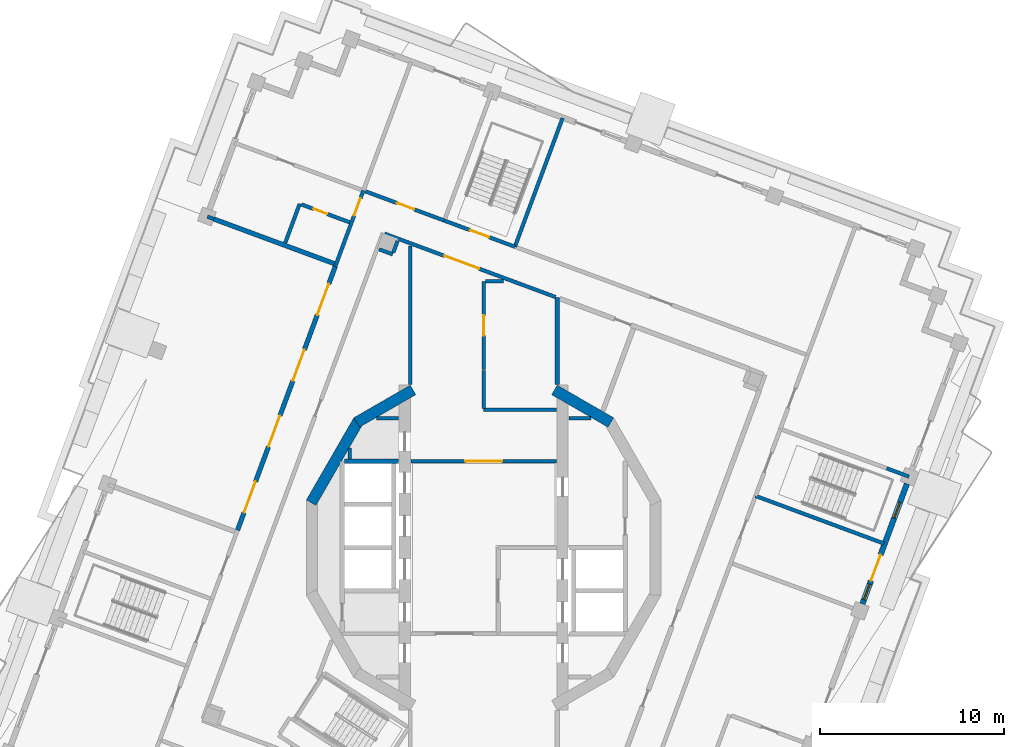
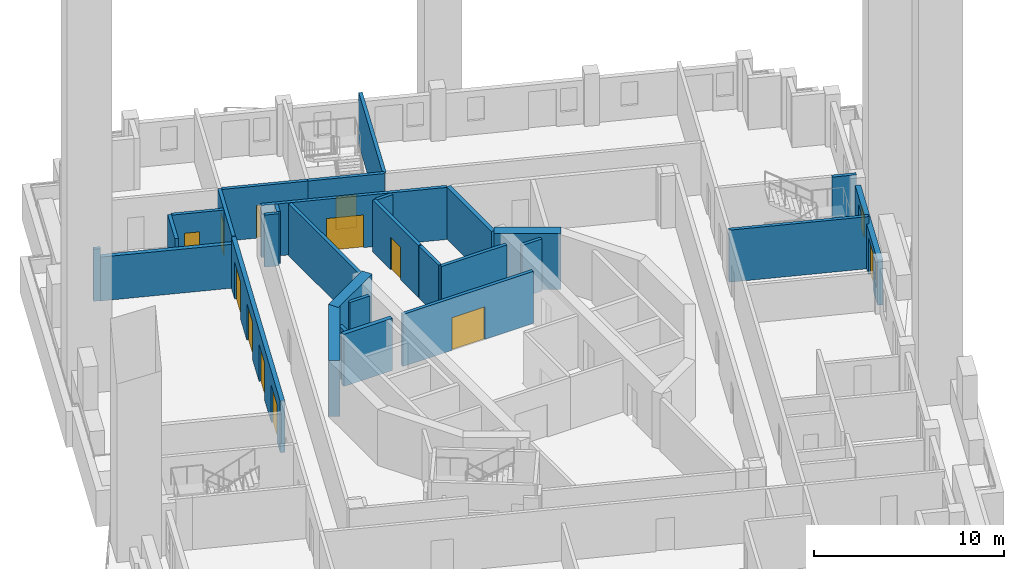
# One storey, part 6 of 20: 29 walls, 12 doors, 2 windows, 14 openings.
"""IFC4 building model written with IfcOpenShell, lengths in metres."""

from ifc_helpers import new_model, si_unit, direction, frame, frame_2d, origin, place, context, subcontext, project, spatial, rectangle, extrude, material, layer, layer_set, type_object, element, fill, save


model = new_model("IFC4")

# Units and contexts
model_context = context("Model", 3, precision=1e-05, world=origin(), true_north=direction((0.0, 1.0)))
body_context = subcontext(model_context, "Body", "Model", "MODEL_VIEW")
ifc_project = project(units=[si_unit("LENGTHUNIT", "METRE"), si_unit("AREAUNIT", "SQUARE_METRE"), si_unit("VOLUMEUNIT", "CUBIC_METRE"), si_unit("PLANEANGLEUNIT", "RADIAN"), si_unit("MASSUNIT", "GRAM", prefix="KILO")], contexts=[model_context])

# Site, building, storey
site_placement = place(None, origin())
site = spatial("IfcSite", under=ifc_project, at=site_placement, CompositionType="ELEMENT")
building_placement = place(site_placement, origin())
building = spatial("IfcBuilding", under=site, at=building_placement, Name="Cantera Rosa Tower", CompositionType="ELEMENT")
storey_placement = place(building_placement, frame((0.0, 0.0, 306.10009765625)))
storey = spatial("IfcBuildingStorey", under=building, at=storey_placement, Name="L67", CompositionType="ELEMENT", Elevation=306.10009765625)

# Wall, opening, door
ifc_material_1 = material(Name="Gypsum board partition")
ifc_layer_1 = layer(ifc_material_1, 0.199951171875)
ifc_layer_set_1 = layer_set([ifc_layer_1], Name="CORRIDOR WALL 200 H3350")
wall_type_1 = type_object("IfcWallType", Name="CORRIDOR WALL 200 H3350", PredefinedType="PARTITIONING", material=ifc_layer_set_1)
wall_1_placement = place(storey_placement, frame((-6.5537109375, 19.438720703125, 0.0), z_axis=(0.0, 0.0, 1.0), x_axis=(-0.347494854736, -0.937681889519, 0.0)))
wall_1 = element("IfcWall", 1, at=wall_1_placement, inside=storey, type_object=wall_type_1, Name="CORRIDOR WALL L67-028", PredefinedType="PARTITIONING", context=body_context, shape_type="SweptSolid", body=[
    extrude(rectangle(XDim=4.405029296875, YDim=0.199951171875, at=frame_2d((2.20263671875, 0.0))), origin(), (0.0, 0.0, 1.0), 3.349853515625),
])
opening_1_placement = place(wall_1_placement, frame((0.43994140625, 0.0, 0.0)))
opening_1 = element("IfcOpeningElement", 2, at=opening_1_placement, cuts=wall_1, Name="Opening L67-023", PredefinedType="OPENING", context=body_context, shape_type="SweptSolid", body=[
    extrude(rectangle(XDim=1.0, YDim=2.10009765625, at=frame_2d((0.5, 1.050048828125))), frame((0.0, 0.10986328125, 0.0), z_axis=(0.0, -1.0, 0.0), x_axis=(1.0, 0.0, 0.0)), (0.0, 0.0, 1.0), 0.219970703125),
])
ifc_material_2 = material(Name="Timber door leaf", Category="wood")
door_type_1 = type_object("IfcDoorType", Name="ENTRANCE DOOR 1000x2100", OperationType="NOTDEFINED", PredefinedType="DOOR", material=ifc_material_2)
door_1_placement = place(opening_1_placement, origin())
door_1 = element("IfcDoor", 3, at=door_1_placement, inside=storey, type_object=door_type_1, Name="DOOR L67-023", OperationType="NOTDEFINED", OverallHeight=2.10009765625, OverallWidth=1.0, PredefinedType="DOOR", context=body_context, shape_type="SweptSolid", body=[
    extrude(rectangle(XDim=1.0, YDim=2.10009765625, at=frame_2d((0.5, 1.050048828125))), frame((0.0, 0.02490234375, 0.0), z_axis=(0.0, -1.0, 0.0), x_axis=(1.0, 0.0, 0.0)), (0.0, 0.0, 1.0), 0.050048828125),
])
fill(opening_1, door_1)

# Wall
wall_2_placement = place(storey_placement, frame((-4.0, 16.4326171875, 0.0), z_axis=(0.0, 0.0, 1.0), x_axis=(0.0, -1.0, 0.0)))
element("IfcWall", 4, at=wall_2_placement, inside=storey, type_object=wall_type_1, Name="CORRIDOR WALL L67-045", PredefinedType="PARTITIONING", context=body_context, shape_type="SweptSolid", body=[
    extrude(rectangle(XDim=7.5537109375, YDim=0.199951171875, at=frame_2d((3.77685546875, 0.0))), origin(), (0.0, 0.0, 1.0), 3.349853515625),
])

# Wall, opening, door
wall_3_placement = place(storey_placement, frame((-3.969970703125, 4.699951171875, 0.0), z_axis=(0.0, 0.0, 1.0), x_axis=(1.0, 0.0, 0.0)))
wall_3 = element("IfcWall", 5, at=wall_3_placement, inside=storey, type_object=wall_type_1, Name="CORRIDOR WALL L67-046", PredefinedType="PARTITIONING", context=body_context, shape_type="SweptSolid", body=[
    extrude(rectangle(XDim=7.93994140625, YDim=0.199951171875, at=frame_2d((3.969970703125, 0.0))), origin(), (0.0, 0.0, 1.0), 3.349853515625),
])
opening_2_placement = place(wall_3_placement, frame((2.969970703125, 0.0, 0.0)))
opening_2 = element("IfcOpeningElement", 6, at=opening_2_placement, cuts=wall_3, Name="Opening L67-010", PredefinedType="OPENING", context=body_context, shape_type="SweptSolid", body=[
    extrude(rectangle(XDim=2.0, YDim=2.10009765625, at=frame_2d((1.0, 1.050048828125))), frame((0.0, 0.10986328125, 0.0), z_axis=(0.0, -1.0, 0.0), x_axis=(1.0, 0.0, 0.0)), (0.0, 0.0, 1.0), 0.219970703125),
])
ifc_material_3 = material(Name="Steel S355J2 (EN 10025-2)", Category="steel")
door_type_2 = type_object("IfcDoorType", Name="LOBBY SCREEN DOOR 2000x2100", OperationType="NOTDEFINED", PredefinedType="DOOR", material=ifc_material_3)
door_2_placement = place(opening_2_placement, origin())
door_2 = element("IfcDoor", 7, at=door_2_placement, inside=storey, type_object=door_type_2, Name="DOOR L67-010", OperationType="NOTDEFINED", OverallHeight=2.10009765625, OverallWidth=2.0, PredefinedType="DOOR", context=body_context, shape_type="SweptSolid", body=[
    extrude(rectangle(XDim=2.0, YDim=2.10009765625, at=frame_2d((1.0, 1.050048828125))), frame((0.0, 0.02490234375, 0.0), z_axis=(0.0, -1.0, 0.0), x_axis=(1.0, 0.0, 0.0)), (0.0, 0.0, 1.0), 0.050048828125),
])
fill(opening_2, door_2)

wall_4_placement = place(storey_placement, frame((-2.146728515625, 17.805419921875, 0.0), z_axis=(0.0, 0.0, 1.0), x_axis=(-0.937682514707, 0.347493167721, 0.0)))
wall_4 = element("IfcWall", 8, at=wall_4_placement, inside=storey, type_object=wall_type_1, Name="CORRIDOR WALL L67-047", PredefinedType="PARTITIONING", context=body_context, shape_type="SweptSolid", body=[
    extrude(rectangle(XDim=4.580078125, YDim=0.199951171875, at=frame_2d((2.2900390625, 0.0))), origin(), (0.0, 0.0, 1.0), 3.349853515625),
])
opening_3_placement = place(wall_4_placement, frame((1.75, 0.0, 0.0)))
opening_3 = element("IfcOpeningElement", 9, at=opening_3_placement, cuts=wall_4, Name="Opening L67-021", PredefinedType="OPENING", context=body_context, shape_type="SweptSolid", body=[
    extrude(rectangle(XDim=1.0, YDim=2.10009765625, at=frame_2d((0.5, 1.050048828125))), frame((0.0, 0.10986328125, 0.0), z_axis=(0.0, -1.0, 0.0), x_axis=(1.0, 0.0, 0.0)), (0.0, 0.0, 1.0), 0.219970703125),
])
ifc_material_4 = material(Name="Timber door leaf", Category="wood")
door_type_3 = type_object("IfcDoorType", Name="ROOM DOOR 1000x2100", OperationType="NOTDEFINED", PredefinedType="DOOR", material=ifc_material_4)
door_3_placement = place(opening_3_placement, origin())
door_3 = element("IfcDoor", 10, at=door_3_placement, inside=storey, type_object=door_type_3, Name="DOOR L67-021", OperationType="NOTDEFINED", OverallHeight=2.10009765625, OverallWidth=1.0, PredefinedType="DOOR", context=body_context, shape_type="SweptSolid", body=[
    extrude(rectangle(XDim=1.0, YDim=2.10009765625, at=frame_2d((0.5, 1.050048828125))), frame((0.0, 0.02490234375, 0.0), z_axis=(0.0, -1.0, 0.0), x_axis=(1.0, 0.0, 0.0)), (0.0, 0.0, 1.0), 0.050048828125),
])
fill(opening_3, door_3)

# Walls
wall_5_placement = place(storey_placement, frame((0.0, 7.5, 0.0), z_axis=(0.0, 0.0, 1.0), x_axis=(1.0, 0.0, 0.0)))
element("IfcWall", 11, at=wall_5_placement, inside=storey, type_object=wall_type_1, Name="CORRIDOR WALL L67-049", PredefinedType="PARTITIONING", context=body_context, shape_type="SweptSolid", body=[
    extrude(rectangle(XDim=3.969970703125, YDim=0.199951171875, at=frame_2d((1.98486328125, 0.0))), origin(), (0.0, 0.0, 1.0), 3.349853515625),
])
wall_6_placement = place(storey_placement, frame((0.0, 9.62939453125, 0.0), z_axis=(0.0, 0.0, 1.0), x_axis=(0.0, -1.0, 0.0)))
element("IfcWall", 12, at=wall_6_placement, inside=storey, type_object=wall_type_1, Name="CORRIDOR WALL L67-050", PredefinedType="PARTITIONING", context=body_context, shape_type="SweptSolid", body=[
    extrude(rectangle(XDim=2.04931640625, YDim=0.199951171875, at=frame_2d((1.024658203125, 0.0))), origin(), (0.0, 0.0, 1.0), 3.349853515625),
])

# Wall, opening, door
wall_7_placement = place(storey_placement, frame((0.0, 14.5, 0.0), z_axis=(0.0, 0.0, 1.0), x_axis=(0.0, -1.0, 0.0)))
wall_7 = element("IfcWall", 13, at=wall_7_placement, inside=storey, type_object=wall_type_1, Name="CORRIDOR WALL L67-051", PredefinedType="PARTITIONING", context=body_context, shape_type="SweptSolid", body=[
    extrude(rectangle(XDim=4.810791015625, YDim=0.199951171875, at=frame_2d((2.4052734375, 0.0))), origin(), (0.0, 0.0, 1.0), 3.349853515625),
])
opening_4_placement = place(wall_7_placement, frame((1.85546875, 0.0, 0.0)))
opening_4 = element("IfcOpeningElement", 14, at=opening_4_placement, cuts=wall_7, Name="Opening L67-014", PredefinedType="OPENING", context=body_context, shape_type="SweptSolid", body=[
    extrude(rectangle(XDim=1.10009765625, YDim=2.10009765625, at=frame_2d((0.550048828125, 1.050048828125))), frame((0.0, 0.10986328125, 0.0), z_axis=(0.0, -1.0, 0.0), x_axis=(1.0, 0.0, 0.0)), (0.0, 0.0, 1.0), 0.219970703125),
])
ifc_material_5 = material(Name="Timber door leaf", Category="wood")
door_type_4 = type_object("IfcDoorType", Name="ROOM DOOR 1100x2100", OperationType="NOTDEFINED", PredefinedType="DOOR", material=ifc_material_5)
door_4_placement = place(opening_4_placement, origin())
door_4 = element("IfcDoor", 15, at=door_4_placement, inside=storey, type_object=door_type_4, Name="DOOR L67-014", OperationType="NOTDEFINED", OverallHeight=2.10009765625, OverallWidth=1.10009765625, PredefinedType="DOOR", context=body_context, shape_type="SweptSolid", body=[
    extrude(rectangle(XDim=1.10009765625, YDim=2.10009765625, at=frame_2d((0.550048828125, 1.050048828125))), frame((0.0, 0.02490234375, 0.0), z_axis=(0.0, -1.0, 0.0), x_axis=(1.0, 0.0, 0.0)), (0.0, 0.0, 1.0), 0.050048828125),
])
fill(opening_4, door_4)

# Wall
wall_8_placement = place(storey_placement, frame((1.072998046875, 14.5, 0.0), z_axis=(0.0, 0.0, 1.0), x_axis=(-1.0, 0.0, 0.0)))
element("IfcWall", 16, at=wall_8_placement, inside=storey, type_object=wall_type_1, Name="CORRIDOR WALL L67-057", PredefinedType="PARTITIONING", context=body_context, shape_type="SweptSolid", body=[
    extrude(rectangle(XDim=0.972900390625, YDim=0.199951171875, at=frame_2d((0.486328125, 0.0))), origin(), (0.0, 0.0, 1.0), 3.349853515625),
])

# Wall, opening, door
wall_9_placement = place(storey_placement, frame((3.90625, 13.642822265625, 0.0), z_axis=(0.0, 0.0, 1.0), x_axis=(-0.937688197535, 0.34747783268, 0.0)))
wall_9 = element("IfcWall", 17, at=wall_9_placement, inside=storey, type_object=wall_type_1, Name="CORRIDOR WALL L67-066", PredefinedType="PARTITIONING", context=body_context, shape_type="SweptSolid", body=[
    extrude(rectangle(XDim=9.922119140625, YDim=0.199951171875, at=frame_2d((4.9609375, 0.0))), origin(), (0.0, 0.0, 1.0), 3.349853515625),
])
opening_5_placement = place(wall_9_placement, frame((4.44921875, 0.0, 0.0)))
opening_5 = element("IfcOpeningElement", 18, at=opening_5_placement, cuts=wall_9, Name="Opening L67-009", PredefinedType="OPENING", context=body_context, shape_type="SweptSolid", body=[
    extrude(rectangle(XDim=2.0, YDim=2.10009765625, at=frame_2d((1.0, 1.050048828125))), frame((0.0, 0.10986328125, 0.0), z_axis=(0.0, -1.0, 0.0), x_axis=(1.0, 0.0, 0.0)), (0.0, 0.0, 1.0), 0.219970703125),
])
door_5_placement = place(opening_5_placement, origin())
door_5 = element("IfcDoor", 19, at=door_5_placement, inside=storey, type_object=door_type_2, Name="DOOR L67-009", OperationType="NOTDEFINED", OverallHeight=2.10009765625, OverallWidth=2.0, PredefinedType="DOOR", context=body_context, shape_type="SweptSolid", body=[
    extrude(rectangle(XDim=2.0, YDim=2.10009765625, at=frame_2d((1.0, 1.050048828125))), frame((0.0, 0.02490234375, 0.0), z_axis=(0.0, -1.0, 0.0), x_axis=(1.0, 0.0, 0.0)), (0.0, 0.0, 1.0), 0.050048828125),
])
fill(opening_5, door_5)

# Wall, openings, windows, door
ifc_material_6 = material(Name="Hollow clay masonry with cantera stone cladding", Category="masonry")
ifc_layer_2 = layer(ifc_material_6, 0.300048828125)
ifc_layer_set_2 = layer_set([ifc_layer_2], Name="EW-LOGGIA 300 H2890")
wall_type_2 = type_object("IfcWallType", Name="EW-LOGGIA 300 H2890", PredefinedType="SOLIDWALL", material=ifc_layer_set_2)
wall_10_placement = place(storey_placement, frame((20.61962890625, -3.06591796875, 0.0), z_axis=(0.0, 0.0, 1.0), x_axis=(0.347471562124, 0.937690521182, 0.0)))
wall_10 = element("IfcWall", 20, at=wall_10_placement, inside=storey, type_object=wall_type_2, Name="EN-L67-W23", PredefinedType="SOLIDWALL", context=body_context, shape_type="SweptSolid", body=[
    extrude(rectangle(XDim=6.979736328125, YDim=0.300048828125, at=frame_2d((3.48974609375, 0.0))), origin(), (0.0, 0.0, 1.0), 2.889892578125),
])
opening_6_placement = place(wall_10_placement, frame((0.2451171875, 0.0, 0.89990234375)))
opening_6 = element("IfcOpeningElement", 21, at=opening_6_placement, cuts=wall_10, Name="Opening L67-W43", PredefinedType="OPENING", context=body_context, shape_type="SweptSolid", body=[
    extrude(rectangle(XDim=0.89990234375, YDim=1.5, at=frame_2d((0.449951171875, 0.75))), frame((0.0, 0.159912109375, 0.0), z_axis=(0.0, -1.0, 0.0), x_axis=(1.0, 0.0, 0.0)), (0.0, 0.0, 1.0), 0.320068359375),
])
opening_7_placement = place(wall_10_placement, frame((1.344970703125, 0.0, 0.0)))
opening_7 = element("IfcOpeningElement", 22, at=opening_7_placement, cuts=wall_10, Name="Opening L67-TD44", PredefinedType="OPENING", context=body_context, shape_type="SweptSolid", body=[
    extrude(rectangle(XDim=1.5, YDim=2.39990234375, at=frame_2d((0.75, 1.199951171875))), frame((0.0, 0.159912109375, 0.0), z_axis=(0.0, -1.0, 0.0), x_axis=(1.0, 0.0, 0.0)), (0.0, 0.0, 1.0), 0.320068359375),
])
opening_8_placement = place(wall_10_placement, frame((4.985107421875, 0.0, 0.89990234375)))
opening_8 = element("IfcOpeningElement", 23, at=opening_8_placement, cuts=wall_10, Name="Opening L67-W45", PredefinedType="OPENING", context=body_context, shape_type="SweptSolid", body=[
    extrude(rectangle(XDim=0.89990234375, YDim=1.5, at=frame_2d((0.449951171875, 0.75))), frame((0.0, 0.159912109375, 0.0), z_axis=(0.0, -1.0, 0.0), x_axis=(1.0, 0.0, 0.0)), (0.0, 0.0, 1.0), 0.320068359375),
])
ifc_material_7 = material(Name="Aluminium frame with clear glass", Category="aluminium")
window_type = type_object("IfcWindowType", Name="Residential window 900x1500", PartitioningType="SINGLE_PANEL", PredefinedType="WINDOW", material=ifc_material_7)
window_1_placement = place(opening_6_placement, origin())
window_1 = element("IfcWindow", 24, at=window_1_placement, inside=storey, type_object=window_type, Name="WINDOW L67-W43", OverallHeight=1.5, OverallWidth=0.89990234375, PartitioningType="SINGLE_PANEL", PredefinedType="WINDOW", context=body_context, shape_type="SweptSolid", body=[
    extrude(rectangle(XDim=0.89990234375, YDim=1.5, at=frame_2d((0.449951171875, 0.75))), frame((0.0, 0.030029296875, 0.0), z_axis=(0.0, -1.0, 0.0), x_axis=(1.0, 0.0, 0.0)), (0.0, 0.0, 1.0), 0.06005859375),
])
fill(opening_6, window_1)
window_2_placement = place(opening_8_placement, origin())
window_2 = element("IfcWindow", 25, at=window_2_placement, inside=storey, type_object=window_type, Name="WINDOW L67-W45", OverallHeight=1.5, OverallWidth=0.89990234375, PartitioningType="SINGLE_PANEL", PredefinedType="WINDOW", context=body_context, shape_type="SweptSolid", body=[
    extrude(rectangle(XDim=0.89990234375, YDim=1.5, at=frame_2d((0.449951171875, 0.75))), frame((0.0, 0.030029296875, 0.0), z_axis=(0.0, -1.0, 0.0), x_axis=(1.0, 0.0, 0.0)), (0.0, 0.0, 1.0), 0.06005859375),
])
fill(opening_8, window_2)
ifc_material_8 = material(Name="Aluminium frame with clear glass", Category="aluminium")
door_type_5 = type_object("IfcDoorType", Name="TD-R 1500x2400", OperationType="NOTDEFINED", PredefinedType="DOOR", material=ifc_material_8)
door_6_placement = place(opening_7_placement, origin())
door_6 = element("IfcDoor", 26, at=door_6_placement, inside=storey, type_object=door_type_5, Name="LOGGIA DOOR L67-TD44", OperationType="SLIDING_TO_LEFT", OverallHeight=2.39990234375, OverallWidth=1.5, PredefinedType="DOOR", context=body_context, shape_type="SweptSolid", body=[
    extrude(rectangle(XDim=1.5, YDim=2.39990234375, at=frame_2d((0.75, 1.199951171875))), frame((0.0, 0.02490234375, 0.0), z_axis=(0.0, -1.0, 0.0), x_axis=(1.0, 0.0, 0.0)), (0.0, 0.0, 1.0), 0.050048828125),
])
fill(opening_7, door_6)

# Wall
ifc_material_9 = material(Name="Concrete C40/50", Category="concrete")
ifc_layer_3 = layer(ifc_material_9, 0.25)
ifc_layer_set_3 = layer_set([ifc_layer_3], Name="EW-POCKET CHEEK 250 H2820")
wall_type_3 = type_object("IfcWallType", Name="EW-POCKET CHEEK 250 H2820", PredefinedType="SOLIDWALL", material=ifc_layer_set_3)
wall_11_placement = place(storey_placement, frame((-14.69873046875, 17.892333984375, 0.0), z_axis=(0.0, 0.0, 1.0), x_axis=(0.937689427556, -0.34747451338, 0.0)))
element("IfcWall", 27, at=wall_11_placement, inside=storey, type_object=wall_type_3, Name="POCKET CHEEK A L67", PredefinedType="SOLIDWALL", context=body_context, shape_type="SweptSolid", body=[
    extrude(rectangle(XDim=7.000244140625, YDim=0.25, at=frame_2d((3.5, 0.0))), origin(), (0.0, 0.0, 1.0), 2.81982421875),
])

# Wall, openings, doors
ifc_material_10 = material(Name="Hollow clay masonry with cantera stone cladding", Category="masonry")
ifc_layer_4 = layer(ifc_material_10, 0.25)
ifc_layer_set_4 = layer_set([ifc_layer_4], Name="EW-POCKET REAR 250")
wall_type_4 = type_object("IfcWallType", Name="EW-POCKET REAR 250", PredefinedType="SOLIDWALL", material=ifc_layer_set_4)
wall_12_placement = place(storey_placement, frame((-8.08447265625, 15.30810546875, 0.0), z_axis=(0.0, 0.0, 1.0), x_axis=(-0.347489376152, -0.937683919805, 0.0)))
wall_12 = element("IfcWall", 28, at=wall_12_placement, inside=storey, type_object=wall_type_4, Name="POCKET REAR L67", PredefinedType="SOLIDWALL", context=body_context, shape_type="SweptSolid", body=[
    extrude(rectangle(XDim=15.31005859375, YDim=0.25, at=frame_2d((7.655029296875, 0.0))), origin(), (0.0, 0.0, 1.0), 3.2998046875),
])
opening_9_placement = place(wall_12_placement, frame((1.013671875, 0.0, 0.0)))
opening_9 = element("IfcOpeningElement", 29, at=opening_9_placement, cuts=wall_12, Name="Opening L67-LT01", PredefinedType="OPENING", context=body_context, shape_type="SweptSolid", body=[
    extrude(rectangle(XDim=1.800048828125, YDim=2.39990234375, at=frame_2d((0.89990234375, 1.199951171875))), frame((0.0, 0.135009765625, 0.0), z_axis=(0.0, -1.0, 0.0), x_axis=(1.0, 0.0, 0.0)), (0.0, 0.0, 1.0), 0.27001953125),
])
opening_10_placement = place(wall_12_placement, frame((4.84130859375, 0.0, 0.0)))
opening_10 = element("IfcOpeningElement", 30, at=opening_10_placement, cuts=wall_12, Name="Opening L67-LT02", PredefinedType="OPENING", context=body_context, shape_type="SweptSolid", body=[
    extrude(rectangle(XDim=1.800048828125, YDim=2.39990234375, at=frame_2d((0.89990234375, 1.199951171875))), frame((0.0, 0.135009765625, 0.0), z_axis=(0.0, -1.0, 0.0), x_axis=(1.0, 0.0, 0.0)), (0.0, 0.0, 1.0), 0.27001953125),
])
opening_11_placement = place(wall_12_placement, frame((8.668701171875, 0.0, 0.0)))
opening_11 = element("IfcOpeningElement", 31, at=opening_11_placement, cuts=wall_12, Name="Opening L67-LT03", PredefinedType="OPENING", context=body_context, shape_type="SweptSolid", body=[
    extrude(rectangle(XDim=1.800048828125, YDim=2.39990234375, at=frame_2d((0.89990234375, 1.199951171875))), frame((0.0, 0.135009765625, 0.0), z_axis=(0.0, -1.0, 0.0), x_axis=(1.0, 0.0, 0.0)), (0.0, 0.0, 1.0), 0.27001953125),
])
opening_12_placement = place(wall_12_placement, frame((12.496337890625, 0.0, 0.0)))
opening_12 = element("IfcOpeningElement", 32, at=opening_12_placement, cuts=wall_12, Name="Opening L67-LT04", PredefinedType="OPENING", context=body_context, shape_type="SweptSolid", body=[
    extrude(rectangle(XDim=1.800048828125, YDim=2.39990234375, at=frame_2d((0.89990234375, 1.199951171875))), frame((0.0, 0.135009765625, 0.0), z_axis=(0.0, -1.0, 0.0), x_axis=(1.0, 0.0, 0.0)), (0.0, 0.0, 1.0), 0.27001953125),
])
ifc_material_11 = material(Name="Aluminium frame with clear glass", Category="aluminium")
door_type_6 = type_object("IfcDoorType", Name="TD-T 1800x2400", OperationType="NOTDEFINED", PredefinedType="DOOR", material=ifc_material_11)
door_7_placement = place(opening_9_placement, origin())
door_7 = element("IfcDoor", 33, at=door_7_placement, inside=storey, type_object=door_type_6, Name="TERRACE DOOR L67-LT01", OperationType="DOUBLE_DOOR_SINGLE_SWING", OverallHeight=2.39990234375, OverallWidth=1.800048828125, PredefinedType="DOOR", context=body_context, shape_type="SweptSolid", body=[
    extrude(rectangle(XDim=1.800048828125, YDim=2.39990234375, at=frame_2d((0.89990234375, 1.199951171875))), frame((0.0, 0.02490234375, 0.0), z_axis=(0.0, -1.0, 0.0), x_axis=(1.0, 0.0, 0.0)), (0.0, 0.0, 1.0), 0.050048828125),
])
fill(opening_9, door_7)
door_8_placement = place(opening_10_placement, origin())
door_8 = element("IfcDoor", 34, at=door_8_placement, inside=storey, type_object=door_type_6, Name="TERRACE DOOR L67-LT02", OperationType="DOUBLE_DOOR_SINGLE_SWING", OverallHeight=2.39990234375, OverallWidth=1.800048828125, PredefinedType="DOOR", context=body_context, shape_type="SweptSolid", body=[
    extrude(rectangle(XDim=1.800048828125, YDim=2.39990234375, at=frame_2d((0.89990234375, 1.199951171875))), frame((0.0, 0.02490234375, 0.0), z_axis=(0.0, -1.0, 0.0), x_axis=(1.0, 0.0, 0.0)), (0.0, 0.0, 1.0), 0.050048828125),
])
fill(opening_10, door_8)
door_9_placement = place(opening_11_placement, origin())
door_9 = element("IfcDoor", 35, at=door_9_placement, inside=storey, type_object=door_type_6, Name="TERRACE DOOR L67-LT03", OperationType="DOUBLE_DOOR_SINGLE_SWING", OverallHeight=2.39990234375, OverallWidth=1.800048828125, PredefinedType="DOOR", context=body_context, shape_type="SweptSolid", body=[
    extrude(rectangle(XDim=1.800048828125, YDim=2.39990234375, at=frame_2d((0.89990234375, 1.199951171875))), frame((0.0, 0.02490234375, 0.0), z_axis=(0.0, -1.0, 0.0), x_axis=(1.0, 0.0, 0.0)), (0.0, 0.0, 1.0), 0.050048828125),
])
fill(opening_11, door_9)
door_10_placement = place(opening_12_placement, origin())
door_10 = element("IfcDoor", 36, at=door_10_placement, inside=storey, type_object=door_type_6, Name="TERRACE DOOR L67-LT04", OperationType="DOUBLE_DOOR_SINGLE_SWING", OverallHeight=2.39990234375, OverallWidth=1.800048828125, PredefinedType="DOOR", context=body_context, shape_type="SweptSolid", body=[
    extrude(rectangle(XDim=1.800048828125, YDim=2.39990234375, at=frame_2d((0.89990234375, 1.199951171875))), frame((0.0, 0.02490234375, 0.0), z_axis=(0.0, -1.0, 0.0), x_axis=(1.0, 0.0, 0.0)), (0.0, 0.0, 1.0), 0.050048828125),
])
fill(opening_12, door_10)

# Wall
ifc_material_12 = material(Name="Gypsum board partition")
ifc_layer_5 = layer(ifc_material_12, 0.199951171875)
ifc_layer_set_5 = layer_set([ifc_layer_5], Name="PARTITION 200 H3350")
wall_type_5 = type_object("IfcWallType", Name="PARTITION 200 H3350", PredefinedType="PARTITIONING", material=ifc_layer_set_5)
wall_13_placement = place(storey_placement, frame((-10.80712890625, 16.59423828125, 0.0), z_axis=(0.0, 0.0, 1.0), x_axis=(0.347388074377, 0.937721454261, 0.0)))
element("IfcWall", 37, at=wall_13_placement, inside=storey, type_object=wall_type_5, Name="PARTITION L67-013", PredefinedType="PARTITIONING", context=body_context, shape_type="SweptSolid", body=[
    extrude(rectangle(XDim=2.26513671875, YDim=0.199951171875, at=frame_2d((1.132568359375, 0.0))), origin(), (0.0, 0.0, 1.0), 3.349853515625),
])

# Wall, opening, door
wall_14_placement = place(storey_placement, frame((-9.926513671875, 18.68359375, 0.0), z_axis=(0.0, 0.0, 1.0), x_axis=(0.937673016978, -0.347518795507, 0.0)))
wall_14 = element("IfcWall", 38, at=wall_14_placement, inside=storey, type_object=wall_type_5, Name="PARTITION L67-017", PredefinedType="PARTITIONING", context=body_context, shape_type="SweptSolid", body=[
    extrude(rectangle(XDim=2.80029296875, YDim=0.199951171875, at=frame_2d((1.400146484375, 0.0))), origin(), (0.0, 0.0, 1.0), 3.349853515625),
])
opening_13_placement = place(wall_14_placement, frame((0.699951171875, 0.0, 0.0)))
opening_13 = element("IfcOpeningElement", 39, at=opening_13_placement, cuts=wall_14, Name="Opening L67-024", PredefinedType="OPENING", context=body_context, shape_type="SweptSolid", body=[
    extrude(rectangle(XDim=0.800048828125, YDim=2.10009765625, at=frame_2d((0.39990234375, 1.050048828125))), frame((0.0, 0.10986328125, 0.0), z_axis=(0.0, -1.0, 0.0), x_axis=(1.0, 0.0, 0.0)), (0.0, 0.0, 1.0), 0.219970703125),
])
ifc_material_13 = material(Name="Timber door leaf", Category="wood")
door_type_7 = type_object("IfcDoorType", Name="BATHROOM DOOR 800x2100", OperationType="NOTDEFINED", PredefinedType="DOOR", material=ifc_material_13)
door_11_placement = place(opening_13_placement, origin())
door_11 = element("IfcDoor", 40, at=door_11_placement, inside=storey, type_object=door_type_7, Name="DOOR L67-024", OperationType="NOTDEFINED", OverallHeight=2.10009765625, OverallWidth=0.800048828125, PredefinedType="DOOR", context=body_context, shape_type="SweptSolid", body=[
    extrude(rectangle(XDim=0.800048828125, YDim=2.10009765625, at=frame_2d((0.39990234375, 1.050048828125))), frame((0.0, 0.02490234375, 0.0), z_axis=(0.0, -1.0, 0.0), x_axis=(1.0, 0.0, 0.0)), (0.0, 0.0, 1.0), 0.050048828125),
])
fill(opening_13, door_11)

# Walls
wall_15_placement = place(storey_placement, frame((-7.300048828125, 4.824951171875, 0.0), z_axis=(0.0, 0.0, 1.0), x_axis=(0.0, 1.0, 0.0)))
element("IfcWall", 41, at=wall_15_placement, inside=storey, type_object=wall_type_5, Name="PARTITION L67-027", PredefinedType="PARTITIONING", context=body_context, shape_type="SweptSolid", body=[
    extrude(rectangle(XDim=0.589599609375, YDim=0.199951171875, at=frame_2d((0.294921875, 0.0))), origin(), (0.0, 0.0, 1.0), 3.349853515625),
])
wall_16_placement = place(storey_placement, frame((-5.84765625, 7.050048828125, 0.0), z_axis=(0.0, 0.0, 1.0), x_axis=(1.0, 0.0, 0.0)))
element("IfcWall", 42, at=wall_16_placement, inside=storey, type_object=wall_type_5, Name="PARTITION L67-033", PredefinedType="PARTITIONING", context=body_context, shape_type="SweptSolid", body=[
    extrude(rectangle(XDim=1.2177734375, YDim=0.199951171875, at=frame_2d((0.60888671875, 0.0))), origin(), (0.0, 0.0, 1.0), 3.349853515625),
])
wall_17_placement = place(storey_placement, frame((-5.691650390625, 16.23974609375, 0.0), z_axis=(0.0, 0.0, 1.0), x_axis=(0.93771100034, -0.347416291848, 0.0)))
element("IfcWall", 43, at=wall_17_placement, inside=storey, type_object=wall_type_5, Name="PARTITION L67-034", PredefinedType="PARTITIONING", context=body_context, shape_type="SweptSolid", body=[
    extrude(rectangle(XDim=0.780029296875, YDim=0.199951171875, at=frame_2d((0.39013671875, 0.0))), origin(), (0.0, 0.0, 1.0), 3.349853515625),
])
wall_18_placement = place(storey_placement, frame((-4.925537109375, 16.0625, 0.0), z_axis=(0.0, 0.0, 1.0), x_axis=(0.347501421626, 0.937679455874, 0.0)))
element("IfcWall", 44, at=wall_18_placement, inside=storey, type_object=wall_type_5, Name="PARTITION L67-039", PredefinedType="PARTITIONING", context=body_context, shape_type="SweptSolid", body=[
    extrude(rectangle(XDim=0.68017578125, YDim=0.199951171875, at=frame_2d((0.340087890625, 0.0))), origin(), (0.0, 0.0, 1.0), 3.349853515625),
])
wall_19_placement = place(storey_placement, frame((4.6298828125, 7.050048828125, 0.0), z_axis=(0.0, 0.0, 1.0), x_axis=(1.0, 0.0, 0.0)))
element("IfcWall", 45, at=wall_19_placement, inside=storey, type_object=wall_type_5, Name="PARTITION L67-068", PredefinedType="PARTITIONING", context=body_context, shape_type="SweptSolid", body=[
    extrude(rectangle(XDim=1.2177734375, YDim=0.199951171875, at=frame_2d((0.60888671875, 0.0))), origin(), (0.0, 0.0, 1.0), 3.349853515625),
])
ifc_material_14 = material(Name="Gypsum board partition")
ifc_layer_6 = layer(ifc_material_14, 0.199951171875)
ifc_layer_set_6 = layer_set([ifc_layer_6], Name="PARTY WALL 200 H3350")
wall_type_6 = type_object("IfcWallType", Name="PARTY WALL 200 H3350", PredefinedType="PARTITIONING", material=ifc_layer_set_6)
wall_20_placement = place(storey_placement, frame((-14.698486328125, 17.892333984375, 0.0), z_axis=(0.0, 0.0, 1.0), x_axis=(-0.937677152558, 0.347507636708, 0.0)))
element("IfcWall", 46, at=wall_20_placement, inside=storey, type_object=wall_type_6, Name="PARTY WALL L67-021", PredefinedType="PARTITIONING", context=body_context, shape_type="SweptSolid", body=[
    extrude(rectangle(XDim=0.370361328125, YDim=0.199951171875, at=frame_2d((0.18505859375, 0.0))), origin(), (0.0, 0.0, 1.0), 3.349853515625),
])
ifc_material_15 = material(Name="Concrete C50/60", Category="concrete")
ifc_layer_7 = layer(ifc_material_15, 0.60009765625)
ifc_layer_set_7 = layer_set([ifc_layer_7], Name="RC CORE WALL 600 C50/60")
wall_type_7 = type_object("IfcWallType", Name="RC CORE WALL 600 C50/60", PredefinedType="SHEAR", material=ifc_layer_set_7)
wall_21_placement = place(storey_placement, frame((-9.3994140625, 2.438232421875, 0.0), z_axis=(0.0, 0.0, 1.0), x_axis=(0.499989188378, 0.866031645787, 0.0)))
element("IfcWall", 47, at=wall_21_placement, inside=storey, type_object=wall_type_7, Name="CW-W4 L67", PredefinedType="SHEAR", context=body_context, shape_type="SweptSolid", body=[
    extrude(rectangle(XDim=5.17626953125, YDim=0.60009765625, at=frame_2d((2.588134765625, 0.0))), origin(), (0.0, 0.0, 1.0), 3.599853515625),
])
for number, where, z_axis, x_axis, name in (
    (48, (-6.921142578125, 6.811279296875, 0.0), (0.0, 0.0, 1.0), (0.866039982607, 0.499974747889, 0.0), "CW-W5 L67"),
    (49, (3.85009765625, 8.584228515625, 0.0), (0.0, 0.0, 1.0), (0.866039982607, -0.499974747889, 0.0), "CW-E1 L67"),
):
    element("IfcWall", number, at=place(storey_placement, frame(where, z_axis=z_axis, x_axis=x_axis)), inside=storey, type_object=wall_type_7, Name=name, PredefinedType="SHEAR", context=body_context, shape_type="SweptSolid", body=[
        extrude(rectangle(XDim=3.546142578125, YDim=0.60009765625, at=frame_2d((1.77294921875, 0.0))), origin(), (0.0, 0.0, 1.0), 3.599853515625),
    ])
ifc_material_16 = material(Name="Masonry blockwork", Category="masonry")
ifc_layer_8 = layer(ifc_material_16, 0.25)
ifc_layer_set_8 = layer_set([ifc_layer_8], Name="SHAFT WALL 250 H3350")
wall_type_8 = type_object("IfcWallType", Name="SHAFT WALL 250 H3350", PredefinedType="SOLIDWALL", material=ifc_layer_set_8)
wall_22_placement = place(storey_placement, frame((-7.580078125, 4.699951171875, 0.0), z_axis=(0.0, 0.0, 1.0), x_axis=(1.0, 0.0, 0.0)))
element("IfcWall", 50, at=wall_22_placement, inside=storey, type_object=wall_type_8, Name="SHAFT WALL L67-026", PredefinedType="SOLIDWALL", context=body_context, shape_type="SweptSolid", body=[
    extrude(rectangle(XDim=2.9501953125, YDim=0.25, at=frame_2d((1.47509765625, 0.0))), origin(), (0.0, 0.0, 1.0), 3.349853515625),
])
wall_23_placement = place(storey_placement, frame((4.0, 8.87890625, 0.0), z_axis=(0.0, 0.0, 1.0), x_axis=(0.0, 1.0, 0.0)))
element("IfcWall", 51, at=wall_23_placement, inside=storey, type_object=wall_type_8, Name="SHAFT WALL L67-065", PredefinedType="SOLIDWALL", context=body_context, shape_type="SweptSolid", body=[
    extrude(rectangle(XDim=4.72900390625, YDim=0.25, at=frame_2d((2.364501953125, 0.0))), origin(), (0.0, 0.0, 1.0), 3.349853515625),
])

# Wall, opening, door
ifc_material_17 = material(Name="Concrete C50/60", Category="concrete")
ifc_layer_9 = layer(ifc_material_17, 0.199951171875)
ifc_layer_set_9 = layer_set([ifc_layer_9], Name="STAIR WALL 200 H3350")
wall_type_9 = type_object("IfcWallType", Name="STAIR WALL 200 H3350", PredefinedType="SOLIDWALL", material=ifc_layer_set_9)
wall_24_placement = place(storey_placement, frame((-2.146728515625, 17.805419921875, 0.0), z_axis=(0.0, 0.0, 1.0), x_axis=(0.937694876531, -0.347459808507, 0.0)))
wall_24 = element("IfcWall", 52, at=wall_24_placement, inside=storey, type_object=wall_type_9, Name="STAIR WALL L67-048", PredefinedType="SOLIDWALL", context=body_context, shape_type="SweptSolid", body=[
    extrude(rectangle(XDim=4.099853515625, YDim=0.199951171875, at=frame_2d((2.0498046875, 0.0))), origin(), (0.0, 0.0, 1.0), 3.349853515625),
])
opening_14_placement = place(wall_24_placement, frame((1.5, 0.0, 0.0)))
opening_14 = element("IfcOpeningElement", 53, at=opening_14_placement, cuts=wall_24, Name="Opening L67-002", PredefinedType="OPENING", context=body_context, shape_type="SweptSolid", body=[
    extrude(rectangle(XDim=1.10009765625, YDim=2.10009765625, at=frame_2d((0.550048828125, 1.050048828125))), frame((0.0, 0.10986328125, 0.0), z_axis=(0.0, -1.0, 0.0), x_axis=(1.0, 0.0, 0.0)), (0.0, 0.0, 1.0), 0.219970703125),
])
ifc_material_18 = material(Name="Steel S355J2 (EN 10025-2)", Category="steel")
door_type_8 = type_object("IfcDoorType", Name="STAIR DOOR 1100x2100", OperationType="NOTDEFINED", PredefinedType="DOOR", material=ifc_material_18)
door_12_placement = place(opening_14_placement, origin())
door_12 = element("IfcDoor", 54, at=door_12_placement, inside=storey, type_object=door_type_8, Name="DOOR L67-002", OperationType="NOTDEFINED", OverallHeight=2.10009765625, OverallWidth=1.10009765625, PredefinedType="DOOR", context=body_context, shape_type="SweptSolid", body=[
    extrude(rectangle(XDim=1.10009765625, YDim=2.10009765625, at=frame_2d((0.550048828125, 1.050048828125))), frame((0.0, 0.02490234375, 0.0), z_axis=(0.0, -1.0, 0.0), x_axis=(1.0, 0.0, 0.0)), (0.0, 0.0, 1.0), 0.050048828125),
])
fill(opening_14, door_12)

# Walls
wall_25_placement = place(storey_placement, frame((1.69775390625, 16.380859375, 0.0), z_axis=(0.0, 0.0, 1.0), x_axis=(0.347488923611, 0.937684087509, 0.0)))
element("IfcWall", 55, at=wall_25_placement, inside=storey, type_object=wall_type_9, Name="STAIR WALL L67-058", PredefinedType="SOLIDWALL", context=body_context, shape_type="SweptSolid", body=[
    extrude(rectangle(XDim=7.469970703125, YDim=0.199951171875, at=frame_2d((3.73486328125, 0.0))), origin(), (0.0, 0.0, 1.0), 3.349853515625),
])
wall_26_placement = place(storey_placement, frame((14.799560546875, 2.812744140625, 0.0), z_axis=(0.0, 0.0, 1.0), x_axis=(0.93768803379, -0.347478274555, 0.0)))
element("IfcWall", 56, at=wall_26_placement, inside=storey, type_object=wall_type_9, Name="STAIR WALL L67-093", PredefinedType="SOLIDWALL", context=body_context, shape_type="SweptSolid", body=[
    extrude(rectangle(XDim=7.47021484375, YDim=0.199951171875, at=frame_2d((3.735107421875, 0.0))), origin(), (0.0, 0.0, 1.0), 3.349853515625),
])
wall_27_placement = place(storey_placement, frame((23.15576171875, 3.864501953125, 0.0), z_axis=(0.0, 0.0, 1.0), x_axis=(-0.937642248704, 0.347601802994, 0.0)))
element("IfcWall", 57, at=wall_27_placement, inside=storey, type_object=wall_type_9, Name="STAIR WALL L67-101", PredefinedType="SOLIDWALL", context=body_context, shape_type="SweptSolid", body=[
    extrude(rectangle(XDim=1.300048828125, YDim=0.199951171875, at=frame_2d((0.64990234375, 0.0))), origin(), (0.0, 0.0, 1.0), 3.349853515625),
])

save(model, "model.ifc")
